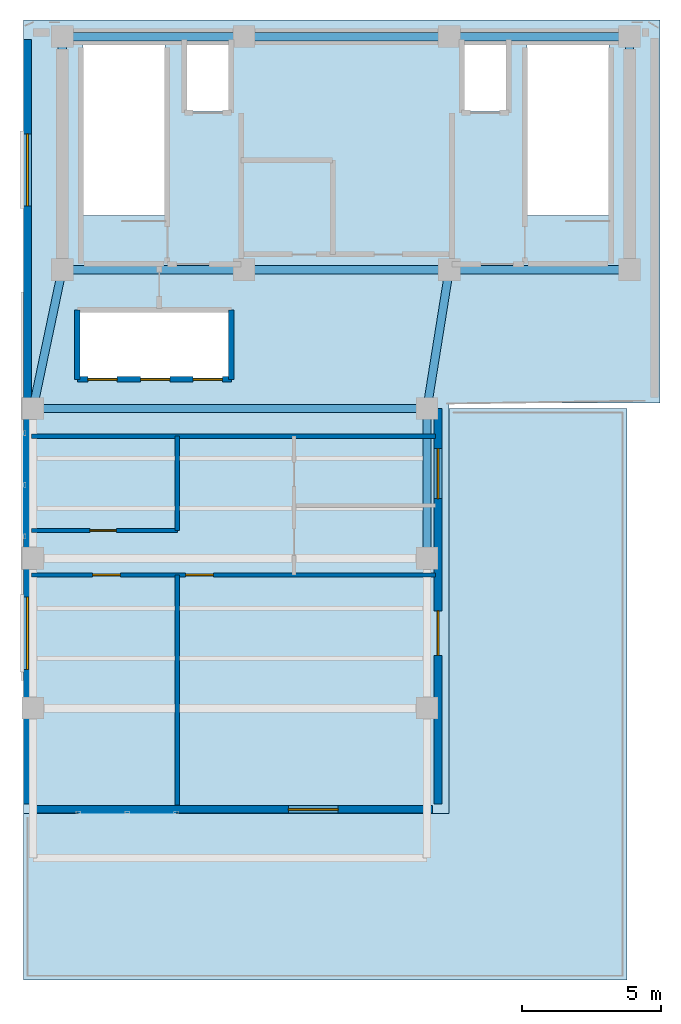
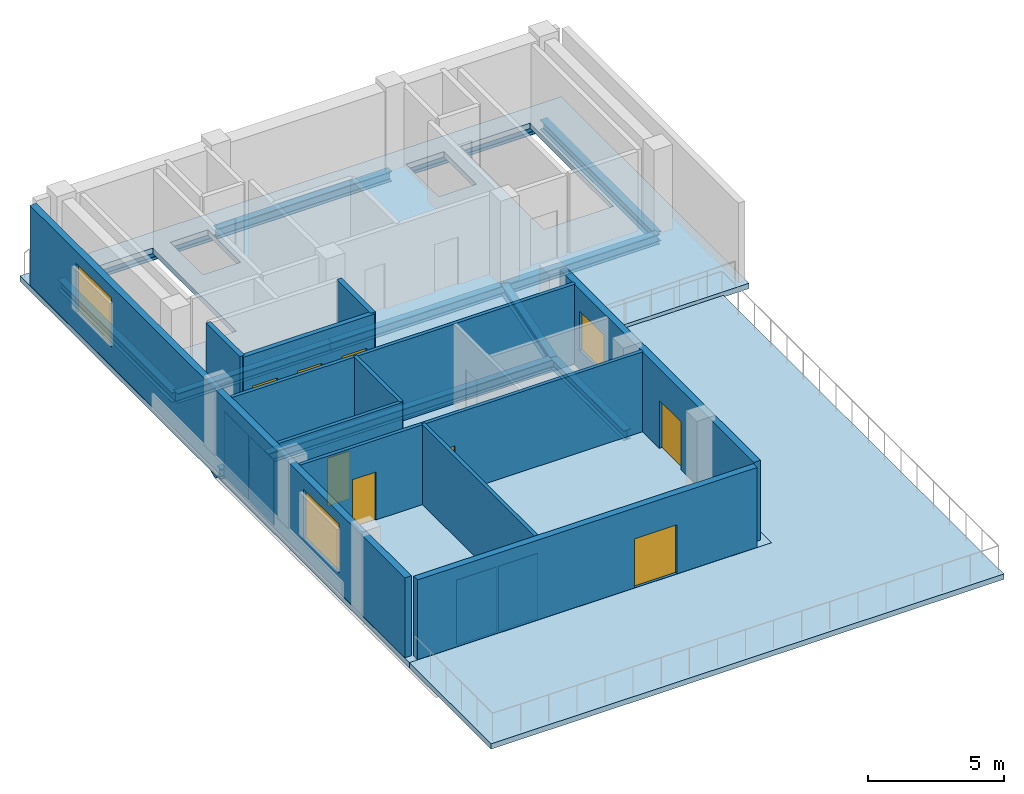
# One storey, part 5 of 7: 12 beams, 11 walls, 8 doors, 4 plates, 3 windows, 2 slabs, 11 openings, 2 elements without a shape of their own.
"""IFC4 building model written with IfcOpenShell, lengths in metres."""

from ifc_helpers import new_model, si_unit, direction, frame, frame_2d, origin, origin_2d, place, context, subcontext, project, spatial, polyline, rectangle, i_section, outline, extrude, material, layer, layer_set, material_profile, profile_set, type_object, element, fill, aggregate, save


model = new_model("IFC4")

# Units and contexts
model_context = context("Model", 3, precision=1e-05, world=origin(), true_north=direction((0.0, 1.0)))
body_context = subcontext(model_context, "Body", "Model", "MODEL_VIEW")
ifc_project = project(units=[si_unit("LENGTHUNIT", "METRE"), si_unit("AREAUNIT", "SQUARE_METRE"), si_unit("VOLUMEUNIT", "CUBIC_METRE"), si_unit("PLANEANGLEUNIT", "RADIAN"), si_unit("MASSUNIT", "GRAM", prefix="KILO")], contexts=[model_context])

# Site, building, storey
site_placement = place(None, origin())
site = spatial("IfcSite", under=ifc_project, at=site_placement, CompositionType="ELEMENT")
building_placement = place(site_placement, origin())
building = spatial("IfcBuilding", under=site, at=building_placement, Name="Kuzgunbayir Cultural Tower", CompositionType="ELEMENT")
storey_placement = place(building_placement, frame((0.0, 0.0, 250.39990234375)))
storey = spatial("IfcBuildingStorey", under=building, at=storey_placement, Name="L74", CompositionType="ELEMENT", Elevation=250.39990234375)

# Beams
ifc_material_1 = material(Name="Steel S355J2", Category="steel")
ifc_material_profile_1 = material_profile(ifc_material_1, i_section(OverallWidth=0.300048828125, OverallDepth=0.449951171875, WebThickness=0.013916015625, FlangeThickness=0.02587890625, FilletRadius=0.027099609375, at=origin_2d()), Name="HEB 450")
ifc_profile_set_1 = profile_set([ifc_material_profile_1], Name="Steel S355J2")
beam_type_1 = type_object("IfcBeamType", Name="BM-EXT-HEB450", PredefinedType="BEAM", material=ifc_profile_set_1)
beam_1_placement = place(storey_placement, frame((19.60009765625, 23.39990234375, -0.4599609375), z_axis=(0.0, 1.0, 0.0), x_axis=(-1.0, 0.0, 0.0)))
element("IfcBeam", 1, at=beam_1_placement, inside=storey, type_object=beam_type_1, Name="L74 Wing A East Girder 2", PredefinedType="BEAM", context=body_context, shape_type="SweptSolid", body=[
    extrude(i_section(OverallWidth=0.300048828125, OverallDepth=0.449951171875, WebThickness=0.013916015625, FlangeThickness=0.02587890625, FilletRadius=0.027099609375, at=origin_2d()), origin(), (0.0, 0.0, 1.0), 5.400146484375),
])
ifc_material_profile_2 = material_profile(ifc_material_1, i_section(OverallWidth=0.300048828125, OverallDepth=0.449951171875, WebThickness=0.013916015625, FlangeThickness=0.02587890625, FilletRadius=0.027099609375, at=origin_2d()), Name="HEB 450")
ifc_profile_set_2 = profile_set([ifc_material_profile_2], Name="Steel S355J2")
beam_type_2 = type_object("IfcBeamType", Name="BM-GIR-HEB450", PredefinedType="BEAM", material=ifc_profile_set_2)
beam_2_placement = place(storey_placement, frame((6.449951171875, 33.800048828125, -0.4599609375), z_axis=(1.0, 0.0, 0.0), x_axis=(0.0, 1.0, 0.0)))
element("IfcBeam", 2, at=beam_2_placement, inside=storey, type_object=beam_type_2, Name="L74 Core South Girder 1", PredefinedType="BEAM", context=body_context, shape_type="SweptSolid", body=[
    extrude(i_section(OverallWidth=0.300048828125, OverallDepth=0.449951171875, WebThickness=0.013916015625, FlangeThickness=0.02587890625, FilletRadius=0.027099609375, at=origin_2d()), origin(), (0.0, 0.0, 1.0), 6.550048828125),
])
beam_3_placement = place(storey_placement, frame((13.0, 33.800048828125, -0.4599609375), z_axis=(1.0, 0.0, 0.0), x_axis=(0.0, 1.0, 0.0)))
element("IfcBeam", 3, at=beam_3_placement, inside=storey, type_object=beam_type_2, Name="L74 Core South Girder 2", PredefinedType="BEAM", context=body_context, shape_type="SweptSolid", body=[
    extrude(i_section(OverallWidth=0.300048828125, OverallDepth=0.449951171875, WebThickness=0.013916015625, FlangeThickness=0.02587890625, FilletRadius=0.027099609375, at=origin_2d()), origin(), (0.0, 0.0, 1.0), 7.39990234375),
])
beam_4_placement = place(storey_placement, frame((20.39990234375, 33.800048828125, -0.4599609375), z_axis=(1.0, 0.0, 0.0), x_axis=(0.0, 1.0, 0.0)))
element("IfcBeam", 4, at=beam_4_placement, inside=storey, type_object=beam_type_2, Name="L74 Core South Girder 3", PredefinedType="BEAM", context=body_context, shape_type="SweptSolid", body=[
    extrude(i_section(OverallWidth=0.300048828125, OverallDepth=0.449951171875, WebThickness=0.013916015625, FlangeThickness=0.02587890625, FilletRadius=0.027099609375, at=origin_2d()), origin(), (0.0, 0.0, 1.0), 6.5),
])
beam_5_placement = place(storey_placement, frame((6.449951171875, 42.199951171875, -0.4599609375), z_axis=(1.0, 0.0, 0.0), x_axis=(0.0, 1.0, 0.0)))
element("IfcBeam", 5, at=beam_5_placement, inside=storey, type_object=beam_type_2, Name="L74 Core North Girder 1", PredefinedType="BEAM", context=body_context, shape_type="SweptSolid", body=[
    extrude(i_section(OverallWidth=0.300048828125, OverallDepth=0.449951171875, WebThickness=0.013916015625, FlangeThickness=0.02587890625, FilletRadius=0.027099609375, at=origin_2d()), origin(), (0.0, 0.0, 1.0), 6.550048828125),
])
beam_6_placement = place(storey_placement, frame((13.0, 42.199951171875, -0.4599609375), z_axis=(1.0, 0.0, 0.0), x_axis=(0.0, 1.0, 0.0)))
element("IfcBeam", 6, at=beam_6_placement, inside=storey, type_object=beam_type_2, Name="L74 Core North Girder 2", PredefinedType="BEAM", context=body_context, shape_type="SweptSolid", body=[
    extrude(i_section(OverallWidth=0.300048828125, OverallDepth=0.449951171875, WebThickness=0.013916015625, FlangeThickness=0.02587890625, FilletRadius=0.027099609375, at=origin_2d()), origin(), (0.0, 0.0, 1.0), 7.39990234375),
])
beam_7_placement = place(storey_placement, frame((20.39990234375, 42.199951171875, -0.4599609375), z_axis=(1.0, 0.0, 0.0), x_axis=(0.0, 1.0, 0.0)))
element("IfcBeam", 7, at=beam_7_placement, inside=storey, type_object=beam_type_2, Name="L74 Core North Girder 3", PredefinedType="BEAM", context=body_context, shape_type="SweptSolid", body=[
    extrude(i_section(OverallWidth=0.300048828125, OverallDepth=0.449951171875, WebThickness=0.013916015625, FlangeThickness=0.02587890625, FilletRadius=0.027099609375, at=origin_2d()), origin(), (0.0, 0.0, 1.0), 6.5),
])
for number, where, z_axis, x_axis, name in (
    (8, (6.449951171875, 33.800048828125, -0.4599609375), (0.0, 1.0, 0.0), (-1.0, 0.0, 0.0), "L74 Core West Edge Girder"),
    (9, (26.89990234375, 33.800048828125, -0.4599609375), (0.0, 1.0, 0.0), (-1.0, 0.0, 0.0), "L74 Core East Edge Girder"),
):
    element("IfcBeam", number, at=place(storey_placement, frame(where, z_axis=z_axis, x_axis=x_axis)), inside=storey, type_object=beam_type_2, Name=name, PredefinedType="BEAM", context=body_context, shape_type="SweptSolid", body=[
        extrude(i_section(OverallWidth=0.300048828125, OverallDepth=0.449951171875, WebThickness=0.013916015625, FlangeThickness=0.02587890625, FilletRadius=0.027099609375, at=origin_2d()), origin(), (0.0, 0.0, 1.0), 8.39990234375),
    ])
beam_8_placement = place(storey_placement, frame((5.39990234375, 28.800048828125, -0.4599609375), z_axis=(1.0, 0.0, 0.0), x_axis=(0.0, 1.0, 0.0)))
element("IfcBeam", 10, at=beam_8_placement, inside=storey, type_object=beam_type_2, Name="L74 Wing A Transverse Girder 3", PredefinedType="BEAM", context=body_context, shape_type="SweptSolid", body=[
    extrude(i_section(OverallWidth=0.300048828125, OverallDepth=0.449951171875, WebThickness=0.013916015625, FlangeThickness=0.02587890625, FilletRadius=0.027099609375, at=origin_2d()), origin(), (0.0, 0.0, 1.0), 14.2001953125),
])
beam_9_placement = place(storey_placement, frame((5.39990234375, 28.800048828125, -0.4599609375), z_axis=(0.205526387753, 0.978651574329, 0.0), x_axis=(-0.978651574329, 0.205526387753, 0.0)))
element("IfcBeam", 11, at=beam_9_placement, inside=storey, type_object=beam_type_2, Name="L74 Wing A West Core Floor Girder", PredefinedType="BEAM", context=body_context, shape_type="SweptSolid", body=[
    extrude(i_section(OverallWidth=0.300048828125, OverallDepth=0.449951171875, WebThickness=0.013916015625, FlangeThickness=0.02587890625, FilletRadius=0.027099609375, at=origin_2d()), origin(), (0.0, 0.0, 1.0), 5.109130859375),
])
beam_10_placement = place(storey_placement, frame((19.60009765625, 28.800048828125, -0.4599609375), z_axis=(0.157952891656, 0.987446648694, 0.0), x_axis=(-0.987446648694, 0.157952891656, 0.0)))
element("IfcBeam", 12, at=beam_10_placement, inside=storey, type_object=beam_type_2, Name="L74 Wing A East Core Floor Girder", PredefinedType="BEAM", context=body_context, shape_type="SweptSolid", body=[
    extrude(i_section(OverallWidth=0.300048828125, OverallDepth=0.449951171875, WebThickness=0.013916015625, FlangeThickness=0.02587890625, FilletRadius=0.027099609375, at=origin_2d()), origin(), (0.0, 0.0, 1.0), 5.0634765625),
])

# Curtain wall, plates
ifc_material_2 = material(Name="Anodised Aluminium Framing", Category="aluminium")
curtain_wall_type = type_object("IfcCurtainWallType", Name="CW06-OBSERVATORY", PredefinedType="NOTDEFINED", material=ifc_material_2)
curtain_wall_1_placement = place(storey_placement, origin())
curtain_wall_1 = element("IfcCurtainWall", 13, at=curtain_wall_1_placement, inside=storey, type_object=curtain_wall_type, Name="L74 Crown Observatory South Curtain Wall", PredefinedType="NOTDEFINED")
ifc_material_3 = material(Name="Solar-Control Triple Glazing", Category="glass")
ifc_layer_1 = layer(ifc_material_3, 0.035888671875)
ifc_layer_set_1 = layer_set([ifc_layer_1], Name="Solar-Control Triple Glazing")
plate_type = type_object("IfcPlateType", Name="PLT-CW-GLASS-36", PredefinedType="CURTAIN_PANEL", material=ifc_layer_set_1)
plate_1_placement = place(storey_placement, frame((7.918701171875, 14.25, 0.06005859375), z_axis=(0.0, 0.0, 1.0), x_axis=(1.0, 0.0, 0.0)))
plate_1 = element("IfcPlate", 14, at=plate_1_placement, type_object=plate_type, Name="CW06 panel 1.1", PredefinedType="CURTAIN_PANEL", context=body_context, shape_type="SweptSolid", body=[
    extrude(rectangle(XDim=1.6875, YDim=0.035888671875, at=origin_2d()), origin(), (0.0, 0.0, 1.0), 2.909912109375),
])
plate_2_placement = place(storey_placement, frame((9.68115234375, 14.25, 0.06005859375), z_axis=(0.0, 0.0, 1.0), x_axis=(1.0, 0.0, 0.0)))
plate_2 = element("IfcPlate", 15, at=plate_2_placement, type_object=plate_type, Name="CW06 panel 2.1", PredefinedType="CURTAIN_PANEL", context=body_context, shape_type="SweptSolid", body=[
    extrude(rectangle(XDim=1.6875, YDim=0.035888671875, at=origin_2d()), origin(), (0.0, 0.0, 1.0), 2.909912109375),
])
aggregate(curtain_wall_1, [plate_1, plate_2])

curtain_wall_2_placement = place(storey_placement, origin())
curtain_wall_2 = element("IfcCurtainWall", 16, at=curtain_wall_2_placement, inside=storey, type_object=curtain_wall_type, Name="L74 Crown Observatory West Curtain Wall", PredefinedType="NOTDEFINED")
plate_3_placement = place(storey_placement, frame((5.10009765625, 25.11865234375, 0.06005859375), z_axis=(0.0, 0.0, 1.0), x_axis=(0.0, 1.0, 0.0)))
plate_3 = element("IfcPlate", 17, at=plate_3_placement, type_object=plate_type, Name="CW06 panel 1.1", PredefinedType="CURTAIN_PANEL", context=body_context, shape_type="SweptSolid", body=[
    extrude(rectangle(XDim=1.78759765625, YDim=0.035888671875, at=origin_2d()), origin(), (0.0, 0.0, 1.0), 2.909912109375),
])
plate_4_placement = place(storey_placement, frame((5.10009765625, 26.981201171875, 0.06005859375), z_axis=(0.0, 0.0, 1.0), x_axis=(0.0, 1.0, 0.0)))
plate_4 = element("IfcPlate", 18, at=plate_4_placement, type_object=plate_type, Name="CW06 panel 2.1", PredefinedType="CURTAIN_PANEL", context=body_context, shape_type="SweptSolid", body=[
    extrude(rectangle(XDim=1.78759765625, YDim=0.035888671875, at=origin_2d()), origin(), (0.0, 0.0, 1.0), 2.909912109375),
])
aggregate(curtain_wall_2, [plate_3, plate_4])

# Slabs
ifc_material_4 = material(Name="Concrete C40/50", Category="concrete")
ifc_layer_2 = layer(ifc_material_4, 0.239990234375)
ifc_layer_set_2 = layer_set([ifc_layer_2], Name="Concrete C40/50")
slab_type_1 = type_object("IfcSlabType", Name="SLB-LOOKOUT-240", PredefinedType="FLOOR", material=ifc_layer_set_2)
slab_1_placement = place(storey_placement, frame((0.0, 0.0, -0.239990234375)))
element("IfcSlab", 19, at=slab_1_placement, inside=storey, type_object=slab_type_1, Name="L74 Open Observation Lookout Terrace", PredefinedType="FLOOR", context=body_context, shape_type="SweptSolid", body=[
    extrude(outline(polyline([(5.050048828125, 8.199951171875), (26.800048828125, 8.199951171875), (26.800048828125, 28.800048828125), (20.39990234375, 28.800048828125), (20.39990234375, 14.199951171875), (5.050048828125, 14.199951171875), (5.050048828125, 8.199951171875)])), origin(), (0.0, 0.0, 1.0), 0.239990234375),
])
ifc_layer_3 = layer(ifc_material_4, 0.239990234375)
ifc_layer_set_3 = layer_set([ifc_layer_3], Name="Concrete C40/50")
slab_type_2 = type_object("IfcSlabType", Name="SLB-TRN-240", PredefinedType="FLOOR", material=ifc_layer_set_3)
slab_2_placement = place(storey_placement, frame((0.0, 0.0, -0.239990234375)))
element("IfcSlab", 20, at=slab_2_placement, inside=storey, type_object=slab_type_2, Name="L74 Tower 1 Floor Slab T1-MAIN", PredefinedType="FLOOR", context=body_context, shape_type="SweptSolid", body=[
    extrude(outline(polyline([(5.050048828125, 14.199951171875), (20.39990234375, 14.199951171875), (20.39990234375, 29.0), (28.0, 29.0), (28.0, 42.800048828125), (5.050048828125, 42.800048828125), (5.050048828125, 14.199951171875)]), holes=[polyline([(7.199951171875, 35.760009765625), (7.199951171875, 41.89990234375), (10.159912109375, 41.89990234375), (10.159912109375, 35.760009765625), (7.199951171875, 35.760009765625)]), polyline([(23.199951171875, 35.760009765625), (23.199951171875, 41.89990234375), (26.159912109375, 41.89990234375), (26.159912109375, 35.760009765625), (23.199951171875, 35.760009765625)]), polyline([(7.10009765625, 29.89990234375), (7.10009765625, 32.300048828125), (12.5, 32.300048828125), (12.5, 29.89990234375), (7.10009765625, 29.89990234375)]), polyline([(10.89990234375, 39.5), (10.89990234375, 41.89990234375), (12.5, 41.89990234375), (12.5, 39.5), (10.89990234375, 39.5)]), polyline([(20.89990234375, 39.5), (20.89990234375, 41.89990234375), (22.5, 41.89990234375), (22.5, 39.5), (20.89990234375, 39.5)])]), origin(), (0.0, 0.0, 1.0), 0.239990234375),
])

# Wall, opening, door
ifc_material_5 = material(Name="Anatolian Cream Limestone", Category="masonry")
ifc_layer_4 = layer(ifc_material_5, 0.280029296875)
ifc_layer_set_4 = layer_set([ifc_layer_4], Name="Anatolian Cream Limestone")
wall_type_1 = type_object("IfcWallType", Name="WAL-EXT-STONE-280", PredefinedType="STANDARD", material=ifc_layer_set_4)
wall_1_placement = place(storey_placement, frame((5.39990234375, 14.35009765625, 0.0), z_axis=(0.0, 0.0, 1.0), x_axis=(1.0, 0.0, 0.0)))
wall_1 = element("IfcWall", 21, at=wall_1_placement, inside=storey, type_object=wall_type_1, Name="L74 Wing A South Limestone Wall", PredefinedType="STANDARD", context=body_context, shape_type="SweptSolid", body=[
    extrude(rectangle(XDim=14.400146484375, YDim=0.280029296875, at=frame_2d((7.2001953125, 0.0))), origin(), (0.0, 0.0, 1.0), 3.580078125),
])
opening_1_placement = place(wall_1_placement, frame((9.199951171875, 0.0, 0.0)))
opening_1 = element("IfcOpeningElement", 22, at=opening_1_placement, cuts=wall_1, Name="Opening TD-18", PredefinedType="OPENING", context=body_context, shape_type="SweptSolid", body=[
    extrude(rectangle(XDim=1.800048828125, YDim=2.199951171875, at=frame_2d((0.89990234375, 1.10009765625))), frame((0.0, 0.14990234375, 0.0), z_axis=(0.0, -1.0, 0.0), x_axis=(1.0, 0.0, 0.0)), (0.0, 0.0, 1.0), 0.300048828125),
])
ifc_material_6 = material(Name="Thermally Broken Glazed Aluminium", Category="aluminium")
door_type_1 = type_object("IfcDoorType", Name="DR-TERRACE-180", OperationType="SLIDING_TO_LEFT", PredefinedType="DOOR", material=ifc_material_6)
door_1_placement = place(opening_1_placement, origin())
door_1 = element("IfcDoor", 23, at=door_1_placement, inside=storey, type_object=door_type_1, Name="L74 Sky Observatory South Lookout Door", OperationType="SLIDING_TO_LEFT", OverallHeight=2.199951171875, OverallWidth=1.800048828125, PredefinedType="DOOR", context=body_context, shape_type="SweptSolid", body=[
    extrude(rectangle(XDim=1.800048828125, YDim=2.199951171875, at=frame_2d((0.89990234375, 1.10009765625))), frame((0.0, 0.02490234375, 0.0), z_axis=(0.0, -1.0, 0.0), x_axis=(1.0, 0.0, 0.0)), (0.0, 0.0, 1.0), 0.050048828125),
])
fill(opening_1, door_1)

# Wall, openings, windows
wall_2_placement = place(storey_placement, frame((5.199951171875, 42.10009765625, 0.0), z_axis=(0.0, 0.0, 1.0), x_axis=(0.0, -1.0, 0.0)))
wall_2 = element("IfcWall", 24, at=wall_2_placement, inside=storey, type_object=wall_type_1, Name="L74 Wing A West Limestone Wall", PredefinedType="STANDARD", context=body_context, shape_type="SweptSolid", body=[
    extrude(rectangle(XDim=27.550048828125, YDim=0.280029296875, at=frame_2d((13.77490234375, 0.0))), origin(), (0.0, 0.0, 1.0), 3.580078125),
])
opening_2_placement = place(wall_2_placement, frame((20.10009765625, 0.0, 0.85009765625)))
opening_2 = element("IfcOpeningElement", 25, at=opening_2_placement, cuts=wall_2, Name="Opening WK-26", PredefinedType="OPENING", context=body_context, shape_type="SweptSolid", body=[
    extrude(rectangle(XDim=2.60009765625, YDim=2.199951171875, at=frame_2d((1.300048828125, 1.10009765625))), frame((0.0, 0.14990234375, 0.0), z_axis=(0.0, -1.0, 0.0), x_axis=(1.0, 0.0, 0.0)), (0.0, 0.0, 1.0), 0.300048828125),
])
opening_3_placement = place(wall_2_placement, frame((3.39990234375, 0.0, 0.85009765625)))
opening_3 = element("IfcOpeningElement", 26, at=opening_3_placement, cuts=wall_2, Name="Opening WK-26", PredefinedType="OPENING", context=body_context, shape_type="SweptSolid", body=[
    extrude(rectangle(XDim=2.60009765625, YDim=2.199951171875, at=frame_2d((1.300048828125, 1.10009765625))), frame((0.0, 0.14990234375, 0.0), z_axis=(0.0, -1.0, 0.0), x_axis=(1.0, 0.0, 0.0)), (0.0, 0.0, 1.0), 0.300048828125),
])
window_type_1 = type_object("IfcWindowType", Name="WIN-CROWN-26", PartitioningType="SINGLE_PANEL", PredefinedType="WINDOW", material=ifc_material_3)
window_1_placement = place(opening_2_placement, origin())
window_1 = element("IfcWindow", 27, at=window_1_placement, inside=storey, type_object=window_type_1, Name="L74 WAW Facade Window 1", OverallHeight=2.199951171875, OverallWidth=2.60009765625, PartitioningType="SINGLE_PANEL", PredefinedType="WINDOW", context=body_context, shape_type="SweptSolid", body=[
    extrude(rectangle(XDim=2.60009765625, YDim=2.199951171875, at=frame_2d((1.300048828125, 1.10009765625))), frame((0.0, 0.030029296875, 0.0), z_axis=(0.0, -1.0, 0.0), x_axis=(1.0, 0.0, 0.0)), (0.0, 0.0, 1.0), 0.06005859375),
])
fill(opening_2, window_1)
window_2_placement = place(opening_3_placement, origin())
window_2 = element("IfcWindow", 28, at=window_2_placement, inside=storey, type_object=window_type_1, Name="L74 WAW Facade Window 2", OverallHeight=2.199951171875, OverallWidth=2.60009765625, PartitioningType="SINGLE_PANEL", PredefinedType="WINDOW", context=body_context, shape_type="SweptSolid", body=[
    extrude(rectangle(XDim=2.60009765625, YDim=2.199951171875, at=frame_2d((1.300048828125, 1.10009765625))), frame((0.0, 0.030029296875, 0.0), z_axis=(0.0, -1.0, 0.0), x_axis=(1.0, 0.0, 0.0)), (0.0, 0.0, 1.0), 0.06005859375),
])
fill(opening_3, window_2)

# Wall, openings, door, window
wall_3_placement = place(storey_placement, frame((20.0, 14.550048828125, 0.0), z_axis=(0.0, 0.0, 1.0), x_axis=(0.0, 1.0, 0.0)))
wall_3 = element("IfcWall", 29, at=wall_3_placement, inside=storey, type_object=wall_type_1, Name="L74 Wing A East Limestone Wall", PredefinedType="STANDARD", context=body_context, shape_type="SweptSolid", body=[
    extrude(rectangle(XDim=14.25, YDim=0.280029296875, at=frame_2d((7.125, 0.0))), origin(), (0.0, 0.0, 1.0), 3.580078125),
])
opening_4_placement = place(wall_3_placement, frame((11.0, 0.0, 0.85009765625)))
opening_4 = element("IfcOpeningElement", 30, at=opening_4_placement, cuts=wall_3, Name="Opening WH-18", PredefinedType="OPENING", context=body_context, shape_type="SweptSolid", body=[
    extrude(rectangle(XDim=1.800048828125, YDim=1.75, at=frame_2d((0.89990234375, 0.875))), frame((0.0, 0.14990234375, 0.0), z_axis=(0.0, -1.0, 0.0), x_axis=(1.0, 0.0, 0.0)), (0.0, 0.0, 1.0), 0.300048828125),
])
opening_5_placement = place(wall_3_placement, frame((5.35009765625, 0.0, 0.0)))
opening_5 = element("IfcOpeningElement", 31, at=opening_5_placement, cuts=wall_3, Name="Opening TD-16", PredefinedType="OPENING", context=body_context, shape_type="SweptSolid", body=[
    extrude(rectangle(XDim=1.60009765625, YDim=2.14990234375, at=frame_2d((0.800048828125, 1.074951171875))), frame((0.0, 0.14990234375, 0.0), z_axis=(0.0, -1.0, 0.0), x_axis=(1.0, 0.0, 0.0)), (0.0, 0.0, 1.0), 0.300048828125),
])
door_type_2 = type_object("IfcDoorType", Name="DR-TERRACE-160", OperationType="SLIDING_TO_RIGHT", PredefinedType="DOOR", material=ifc_material_6)
door_2_placement = place(opening_5_placement, origin())
door_2 = element("IfcDoor", 32, at=door_2_placement, inside=storey, type_object=door_type_2, Name="L74 Sky Observatory East Lookout Door", OperationType="SLIDING_TO_RIGHT", OverallHeight=2.14990234375, OverallWidth=1.60009765625, PredefinedType="DOOR", context=body_context, shape_type="SweptSolid", body=[
    extrude(rectangle(XDim=1.60009765625, YDim=2.14990234375, at=frame_2d((0.800048828125, 1.074951171875))), frame((0.0, 0.02490234375, 0.0), z_axis=(0.0, -1.0, 0.0), x_axis=(1.0, 0.0, 0.0)), (0.0, 0.0, 1.0), 0.050048828125),
])
fill(opening_5, door_2)
window_type_2 = type_object("IfcWindowType", Name="WIN-HOTEL-18", PartitioningType="SINGLE_PANEL", PredefinedType="WINDOW", material=ifc_material_3)
window_3_placement = place(opening_4_placement, origin())
window_3 = element("IfcWindow", 33, at=window_3_placement, inside=storey, type_object=window_type_2, Name="L74 WAE Facade Window 3", OverallHeight=1.75, OverallWidth=1.800048828125, PartitioningType="SINGLE_PANEL", PredefinedType="WINDOW", context=body_context, shape_type="SweptSolid", body=[
    extrude(rectangle(XDim=1.800048828125, YDim=1.75, at=frame_2d((0.89990234375, 0.875))), frame((0.0, 0.030029296875, 0.0), z_axis=(0.0, -1.0, 0.0), x_axis=(1.0, 0.0, 0.0)), (0.0, 0.0, 1.0), 0.06005859375),
])
fill(opening_4, window_3)

# Wall
ifc_material_7 = material(Name="Acoustic Double-Stud Drywall", Category="gypsum")
ifc_layer_5 = layer(ifc_material_7, 0.14990234375)
ifc_layer_set_5 = layer_set([ifc_layer_5], Name="Acoustic Double-Stud Drywall")
wall_type_2 = type_object("IfcWallType", Name="WAL-PART-ACOUSTIC-150", PredefinedType="PARTITIONING", material=ifc_layer_set_5)
wall_4_placement = place(storey_placement, frame((5.35009765625, 27.800048828125, 0.0), z_axis=(0.0, 0.0, 1.0), x_axis=(1.0, 0.0, 0.0)))
element("IfcWall", 34, at=wall_4_placement, inside=storey, type_object=wall_type_2, Name="L74 Observatory Corridor South Wall", PredefinedType="PARTITIONING", context=body_context, shape_type="SweptSolid", body=[
    extrude(rectangle(XDim=14.5498046875, YDim=0.14990234375, at=frame_2d((7.27490234375, 0.0))), origin(), (0.0, 0.0, 1.0), 3.580078125),
])

# Wall, opening, door
wall_5_placement = place(storey_placement, frame((5.35009765625, 24.39990234375, 0.0), z_axis=(0.0, 0.0, 1.0), x_axis=(1.0, 0.0, 0.0)))
wall_5 = element("IfcWall", 35, at=wall_5_placement, inside=storey, type_object=wall_type_2, Name="L74 Pantry South Corridor Wall", PredefinedType="PARTITIONING", context=body_context, shape_type="SweptSolid", body=[
    extrude(rectangle(XDim=5.25, YDim=0.14990234375, at=frame_2d((2.625, 0.0))), origin(), (0.0, 0.0, 1.0), 3.580078125),
])
opening_6_placement = place(wall_5_placement, frame((2.10009765625, 0.0, 0.0)))
opening_6 = element("IfcOpeningElement", 36, at=opening_6_placement, cuts=wall_5, Name="Opening DI-90", PredefinedType="OPENING", context=body_context, shape_type="SweptSolid", body=[
    extrude(rectangle(XDim=0.949951171875, YDim=2.14990234375, at=frame_2d((0.47509765625, 1.074951171875))), frame((0.0, 0.0849609375, 0.0), z_axis=(0.0, -1.0, 0.0), x_axis=(1.0, 0.0, 0.0)), (0.0, 0.0, 1.0), 0.169921875),
])
ifc_material_8 = material(Name="Veneered Oak Single Leaf", Category="wood")
door_type_3 = type_object("IfcDoorType", Name="DR-INT-90", OperationType="NOTDEFINED", PredefinedType="DOOR", material=ifc_material_8)
door_3_placement = place(opening_6_placement, origin())
door_3 = element("IfcDoor", 37, at=door_3_placement, inside=storey, type_object=door_type_3, Name="L74 Sky Pantry Door", OperationType="SINGLE_SWING_RIGHT", OverallHeight=2.14990234375, OverallWidth=0.949951171875, PredefinedType="DOOR", context=body_context, shape_type="SweptSolid", body=[
    extrude(rectangle(XDim=0.949951171875, YDim=2.14990234375, at=frame_2d((0.47509765625, 1.074951171875))), frame((0.0, 0.02490234375, 0.0), z_axis=(0.0, -1.0, 0.0), x_axis=(1.0, 0.0, 0.0)), (0.0, 0.0, 1.0), 0.050048828125),
])
fill(opening_6, door_3)

# Wall
wall_6_placement = place(storey_placement, frame((10.60009765625, 24.39990234375, 0.0), z_axis=(0.0, 0.0, 1.0), x_axis=(0.0, 1.0, 0.0)))
element("IfcWall", 38, at=wall_6_placement, inside=storey, type_object=wall_type_2, Name="L74 Pantry East Corridor Wall", PredefinedType="PARTITIONING", context=body_context, shape_type="SweptSolid", body=[
    extrude(rectangle(XDim=3.400146484375, YDim=0.14990234375, at=frame_2d((1.7001953125, 0.0))), origin(), (0.0, 0.0, 1.0), 3.580078125),
])

# Wall, openings, doors
wall_7_placement = place(storey_placement, frame((5.35009765625, 22.800048828125, 0.0), z_axis=(0.0, 0.0, 1.0), x_axis=(1.0, 0.0, 0.0)))
wall_7 = element("IfcWall", 39, at=wall_7_placement, inside=storey, type_object=wall_type_2, Name="L74 Gallery and Salon North Wall", PredefinedType="PARTITIONING", context=body_context, shape_type="SweptSolid", body=[
    extrude(rectangle(XDim=14.5498046875, YDim=0.14990234375, at=frame_2d((7.27490234375, 0.0))), origin(), (0.0, 0.0, 1.0), 3.580078125),
])
opening_7_placement = place(wall_7_placement, frame((2.199951171875, 0.0, 0.0)))
opening_7 = element("IfcOpeningElement", 40, at=opening_7_placement, cuts=wall_7, Name="Opening DI-100", PredefinedType="OPENING", context=body_context, shape_type="SweptSolid", body=[
    extrude(rectangle(XDim=1.0, YDim=2.14990234375, at=frame_2d((0.5, 1.074951171875))), frame((0.0, 0.0849609375, 0.0), z_axis=(0.0, -1.0, 0.0), x_axis=(1.0, 0.0, 0.0)), (0.0, 0.0, 1.0), 0.169921875),
])
opening_8_placement = place(wall_7_placement, frame((5.550048828125, 0.0, 0.0)))
opening_8 = element("IfcOpeningElement", 41, at=opening_8_placement, cuts=wall_7, Name="Opening DI-100", PredefinedType="OPENING", context=body_context, shape_type="SweptSolid", body=[
    extrude(rectangle(XDim=1.0, YDim=2.14990234375, at=frame_2d((0.5, 1.074951171875))), frame((0.0, 0.0849609375, 0.0), z_axis=(0.0, -1.0, 0.0), x_axis=(1.0, 0.0, 0.0)), (0.0, 0.0, 1.0), 0.169921875),
])
door_type_4 = type_object("IfcDoorType", Name="DR-INT-100", OperationType="NOTDEFINED", PredefinedType="DOOR", material=ifc_material_8)
door_4_placement = place(opening_7_placement, origin())
door_4 = element("IfcDoor", 42, at=door_4_placement, inside=storey, type_object=door_type_4, Name="L74 Panorama Gallery Door", OperationType="SINGLE_SWING_LEFT", OverallHeight=2.14990234375, OverallWidth=1.0, PredefinedType="DOOR", context=body_context, shape_type="SweptSolid", body=[
    extrude(rectangle(XDim=1.0, YDim=2.14990234375, at=frame_2d((0.5, 1.074951171875))), frame((0.0, 0.02490234375, 0.0), z_axis=(0.0, -1.0, 0.0), x_axis=(1.0, 0.0, 0.0)), (0.0, 0.0, 1.0), 0.050048828125),
])
fill(opening_7, door_4)
door_5_placement = place(opening_8_placement, origin())
door_5 = element("IfcDoor", 43, at=door_5_placement, inside=storey, type_object=door_type_4, Name="L74 Horizon Salon Door", OperationType="SINGLE_SWING_RIGHT", OverallHeight=2.14990234375, OverallWidth=1.0, PredefinedType="DOOR", context=body_context, shape_type="SweptSolid", body=[
    extrude(rectangle(XDim=1.0, YDim=2.14990234375, at=frame_2d((0.5, 1.074951171875))), frame((0.0, 0.02490234375, 0.0), z_axis=(0.0, -1.0, 0.0), x_axis=(1.0, 0.0, 0.0)), (0.0, 0.0, 1.0), 0.050048828125),
])
fill(opening_8, door_5)

# Wall
wall_8_placement = place(storey_placement, frame((10.60009765625, 14.5, 0.0), z_axis=(0.0, 0.0, 1.0), x_axis=(0.0, 1.0, 0.0)))
element("IfcWall", 44, at=wall_8_placement, inside=storey, type_object=wall_type_2, Name="L74 Gallery Salon Divider", PredefinedType="PARTITIONING", context=body_context, shape_type="SweptSolid", body=[
    extrude(rectangle(XDim=8.300048828125, YDim=0.14990234375, at=frame_2d((4.14990234375, 0.0))), origin(), (0.0, 0.0, 1.0), 3.580078125),
])

# Wall, openings, doors
ifc_layer_6 = layer(ifc_material_4, 0.199951171875)
ifc_layer_set_6 = layer_set([ifc_layer_6], Name="Concrete C40/50")
wall_type_3 = type_object("IfcWallType", Name="WAL-SHAFT-200", PredefinedType="MOVABLE", material=ifc_layer_set_6)
wall_9_placement = place(storey_placement, frame((7.0, 29.85009765625, 0.0), z_axis=(0.0, 0.0, 1.0), x_axis=(1.0, 0.0, 0.0)))
wall_9 = element("IfcWall", 45, at=wall_9_placement, inside=storey, type_object=wall_type_3, Name="L74 High-Rise Lift Shaft South Wall", PredefinedType="MOVABLE", context=body_context, shape_type="SweptSolid", body=[
    extrude(rectangle(XDim=5.550048828125, YDim=0.199951171875, at=frame_2d((2.77490234375, 0.0))), origin(), (0.0, 0.0, 1.0), 3.580078125),
])
opening_9_placement = place(wall_9_placement, frame((0.3798828125, 0.0, 0.0)))
opening_9 = element("IfcOpeningElement", 46, at=opening_9_placement, cuts=wall_9, Name="Opening LD", PredefinedType="OPENING", context=body_context, shape_type="SweptSolid", body=[
    extrude(rectangle(XDim=1.050048828125, YDim=2.14990234375, at=frame_2d((0.52490234375, 1.074951171875))), frame((0.0, 0.10986328125, 0.0), z_axis=(0.0, -1.0, 0.0), x_axis=(1.0, 0.0, 0.0)), (0.0, 0.0, 1.0), 0.219970703125),
])
opening_10_placement = place(wall_9_placement, frame((2.280029296875, 0.0, 0.0)))
opening_10 = element("IfcOpeningElement", 47, at=opening_10_placement, cuts=wall_9, Name="Opening LD", PredefinedType="OPENING", context=body_context, shape_type="SweptSolid", body=[
    extrude(rectangle(XDim=1.050048828125, YDim=2.14990234375, at=frame_2d((0.52490234375, 1.074951171875))), frame((0.0, 0.10986328125, 0.0), z_axis=(0.0, -1.0, 0.0), x_axis=(1.0, 0.0, 0.0)), (0.0, 0.0, 1.0), 0.219970703125),
])
opening_11_placement = place(wall_9_placement, frame((4.169921875, 0.0, 0.0)))
opening_11 = element("IfcOpeningElement", 48, at=opening_11_placement, cuts=wall_9, Name="Opening LD", PredefinedType="OPENING", context=body_context, shape_type="SweptSolid", body=[
    extrude(rectangle(XDim=1.050048828125, YDim=2.14990234375, at=frame_2d((0.52490234375, 1.074951171875))), frame((0.0, 0.10986328125, 0.0), z_axis=(0.0, -1.0, 0.0), x_axis=(1.0, 0.0, 0.0)), (0.0, 0.0, 1.0), 0.219970703125),
])
ifc_material_9 = material(Name="Brushed Stainless Steel", Category="steel")
door_type_5 = type_object("IfcDoorType", Name="DR-LIFT-LANDING", OperationType="SLIDING_TO_LEFT", PredefinedType="DOOR", material=ifc_material_9)
door_6_placement = place(opening_9_placement, origin())
door_6 = element("IfcDoor", 49, at=door_6_placement, inside=storey, type_object=door_type_5, Name="L74 Lift PH-1 Landing Door", OperationType="SLIDING_TO_LEFT", OverallHeight=2.14990234375, OverallWidth=1.050048828125, PredefinedType="DOOR", context=body_context, shape_type="SweptSolid", body=[
    extrude(rectangle(XDim=1.050048828125, YDim=2.14990234375, at=frame_2d((0.52490234375, 1.074951171875))), frame((0.0, 0.02490234375, 0.0), z_axis=(0.0, -1.0, 0.0), x_axis=(1.0, 0.0, 0.0)), (0.0, 0.0, 1.0), 0.050048828125),
])
fill(opening_9, door_6)
door_7_placement = place(opening_10_placement, origin())
door_7 = element("IfcDoor", 50, at=door_7_placement, inside=storey, type_object=door_type_5, Name="L74 Lift PH-2 Landing Door", OperationType="SLIDING_TO_LEFT", OverallHeight=2.14990234375, OverallWidth=1.050048828125, PredefinedType="DOOR", context=body_context, shape_type="SweptSolid", body=[
    extrude(rectangle(XDim=1.050048828125, YDim=2.14990234375, at=frame_2d((0.52490234375, 1.074951171875))), frame((0.0, 0.02490234375, 0.0), z_axis=(0.0, -1.0, 0.0), x_axis=(1.0, 0.0, 0.0)), (0.0, 0.0, 1.0), 0.050048828125),
])
fill(opening_10, door_7)
door_8_placement = place(opening_11_placement, origin())
door_8 = element("IfcDoor", 51, at=door_8_placement, inside=storey, type_object=door_type_5, Name="L74 Lift PH-3 Landing Door", OperationType="SLIDING_TO_LEFT", OverallHeight=2.14990234375, OverallWidth=1.050048828125, PredefinedType="DOOR", context=body_context, shape_type="SweptSolid", body=[
    extrude(rectangle(XDim=1.050048828125, YDim=2.14990234375, at=frame_2d((0.52490234375, 1.074951171875))), frame((0.0, 0.02490234375, 0.0), z_axis=(0.0, -1.0, 0.0), x_axis=(1.0, 0.0, 0.0)), (0.0, 0.0, 1.0), 0.050048828125),
])
fill(opening_11, door_8)

# Walls
for number, where, z_axis, x_axis, name in (
    (52, (7.0, 29.85009765625, 0.0), (0.0, 0.0, 1.0), (0.0, 1.0, 0.0), "L74 High-Rise Lift Shaft West Wall"),
    (53, (12.550048828125, 29.85009765625, 0.0), (0.0, 0.0, 1.0), (0.0, 1.0, 0.0), "L74 High-Rise Lift Shaft East Wall"),
):
    element("IfcWall", number, at=place(storey_placement, frame(where, z_axis=z_axis, x_axis=x_axis)), inside=storey, type_object=wall_type_3, Name=name, PredefinedType="MOVABLE", context=body_context, shape_type="SweptSolid", body=[
        extrude(rectangle(XDim=2.5, YDim=0.199951171875, at=frame_2d((1.25, 0.0))), origin(), (0.0, 0.0, 1.0), 3.580078125),
    ])

save(model, "model.ifc")
